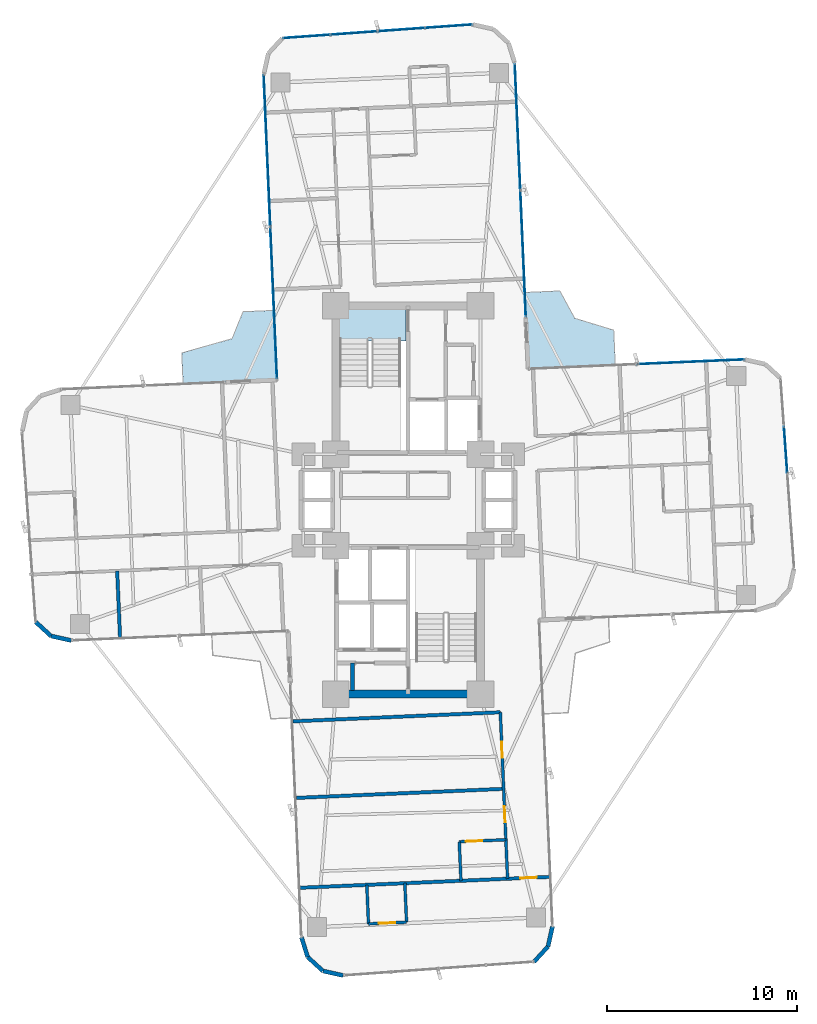
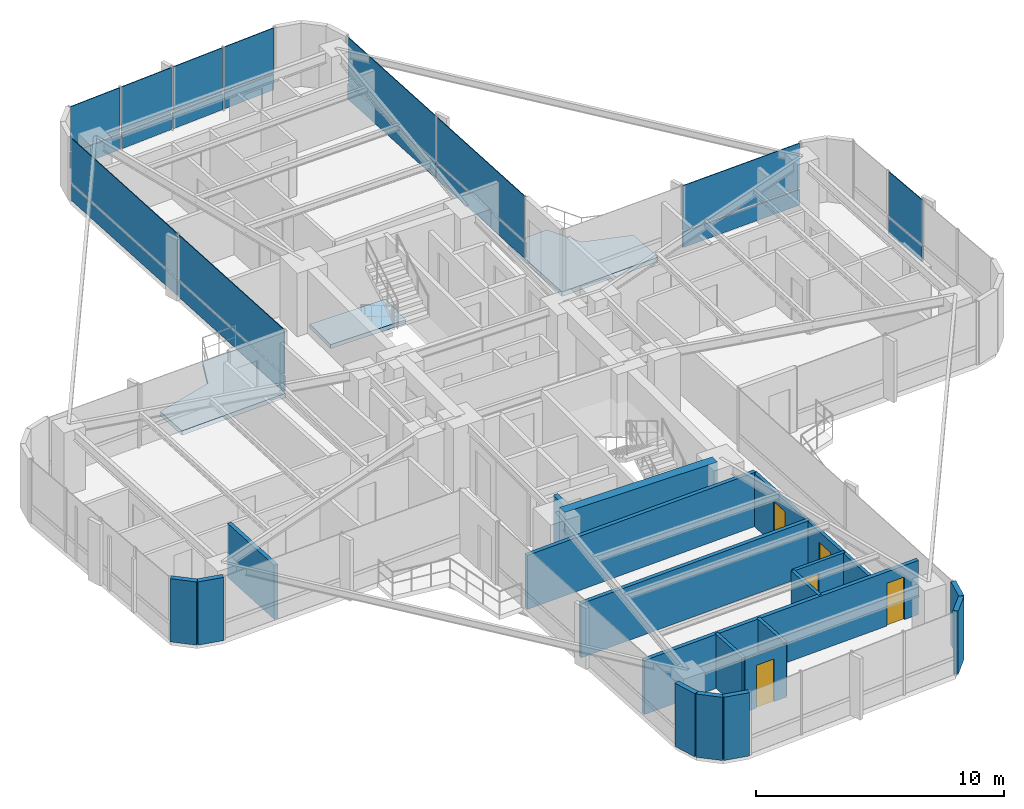
# One storey, part 22 of 26: 20 plates, 19 walls, 5 doors, 3 slabs, 5 openings, 5 elements without a shape of their own.
"""IFC4 building model written with IfcOpenShell, lengths in metres."""

import ifcopenshell
import ifcopenshell.guid

model = None  # the IFC model being written
_history = None  # IfcOwnerHistory: only IFC2X3 demands one
_inside = {}  # id of a spatial element -> (the spatial element, [elements in it])
_under = {}  # id of a project, library or spatial element -> (it, [spatial elements below it])
_declared = {}  # id of a project -> (the project, [libraries it declares])
_typed = {}  # id of a type object -> (the type object, [elements of that type])
_made_of = {}  # id of a material, layer set ... -> (it, [elements and type objects made of it])


def new_model(schema):
    """Start an empty IFC model of exactly this schema.

    Asked for "IFC4X3", IfcOpenShell would pick the latest addendum, in which some entities
    have other attributes; the version numbers below select the first issue.
    IFC2X3 requires an IfcOwnerHistory on every rooted entity: one is made here for all.
    """
    global model, _history
    if schema == "IFC4X3":
        model = ifcopenshell.file(schema_version=(4, 3, 0, 0))
    else:
        model = ifcopenshell.file(schema=schema)
    _inside.clear()
    _under.clear()
    _declared.clear()
    _typed.clear()
    _made_of.clear()
    _history = None
    if model.schema == "IFC2X3":
        org = make("IfcOrganization", Name="unknown")
        user = make(
            "IfcPersonAndOrganization",
            ThePerson=make("IfcPerson", FamilyName="unknown"),
            TheOrganization=org,
        )
        app = make(
            "IfcApplication",
            ApplicationDeveloper=org,
            Version="unknown",
            ApplicationFullName="unknown",
            ApplicationIdentifier="unknown",
        )
        _history = make(
            "IfcOwnerHistory",
            OwningUser=user,
            OwningApplication=app,
            ChangeAction="ADDED",
            CreationDate=0,
        )
    return model


def make(cls, **values):
    """One entity of the class cls with the attributes given. An attribute that is None is left unset."""
    return model.create_entity(
        cls, **{name: value for name, value in values.items() if value is not None}
    )


def rooted(cls, **values):
    """An entity with a GlobalId (a new one), such as an element, a storey or a relation."""
    return make(cls, GlobalId=ifcopenshell.guid.new(), OwnerHistory=_history, **values)


def si_unit(unit_type, name, prefix=None):
    """IfcSIUnit, for example si_unit("LENGTHUNIT", "METRE", prefix="MILLI")."""
    return make("IfcSIUnit", UnitType=unit_type, Prefix=prefix, Name=name)


def assignment(units):
    """IfcUnitAssignment: the units of a project."""
    return None if units is None else make("IfcUnitAssignment", Units=units)


def point(xyz):
    """IfcCartesianPoint."""
    return None if xyz is None else make("IfcCartesianPoint", Coordinates=xyz)


def direction(xyz):
    """IfcDirection."""
    return None if xyz is None else make("IfcDirection", DirectionRatios=xyz)


def frame(location, z_axis=None, x_axis=None):
    """IfcAxis2Placement3D, a coordinate frame: its origin and axes. An axis left out is left unset."""
    return make(
        "IfcAxis2Placement3D",
        Location=point(location),
        Axis=direction(z_axis),
        RefDirection=direction(x_axis),
    )


def frame_2d(location, x_axis=None):
    """IfcAxis2Placement2D, a coordinate frame in the plane: its origin and x axis."""
    return make(
        "IfcAxis2Placement2D", Location=point(location), RefDirection=direction(x_axis)
    )


def origin():
    """The frame at (0, 0, 0) with its axes left unset."""
    return frame((0.0, 0.0, 0.0))


def origin_2d():
    """The frame at (0, 0) in the plane with its x axis left unset."""
    return frame_2d((0.0, 0.0))


def place(relative_to, where):
    """IfcLocalPlacement: puts the frame where relative to a parent placement (None: the world)."""
    return make(
        "IfcLocalPlacement", PlacementRelTo=relative_to, RelativePlacement=where
    )


def context(
    kind, dimensions, precision=None, world=None, true_north=None, identifier=None
):
    """IfcGeometricRepresentationContext, for example the 3D "Model" context."""
    return make(
        "IfcGeometricRepresentationContext",
        ContextIdentifier=identifier,
        ContextType=kind,
        CoordinateSpaceDimension=dimensions,
        Precision=precision,
        WorldCoordinateSystem=world,
        TrueNorth=true_north,
    )


def subcontext(parent, identifier, kind, view, scale=None):
    """IfcGeometricRepresentationSubContext, for example "Body" below "Model"."""
    return make(
        "IfcGeometricRepresentationSubContext",
        ContextIdentifier=identifier,
        ContextType=kind,
        ParentContext=parent,
        TargetScale=scale,
        TargetView=view,
    )


def project(units=None, contexts=None):
    """IfcProject with its units and contexts."""
    return rooted(
        "IfcProject",
        Name="project",
        RepresentationContexts=contexts,
        UnitsInContext=assignment(units),
    )


def spatial(cls, under=None, at=None, **own):
    """A site, building, storey or space (cls), placed at a placement, below another one or the project."""
    s = rooted(cls, ObjectPlacement=at, **own)
    if under is not None:
        _under.setdefault(under.id(), (under, []))[1].append(s)
    return s


def polyline(points):
    """IfcPolyline through the points."""
    return make("IfcPolyline", Points=[point(p) for p in points])


def profile(cls, at=None, kind="AREA", **sizes):
    """A parametric profile (cls). Its sizes go by their IFC names, for example OverallWidth=200.0."""
    return make(cls, ProfileType=kind, Position=at, **sizes)


def rectangle(**sizes):
    """IfcRectangleProfileDef."""
    return profile("IfcRectangleProfileDef", **sizes)


def outline(outer, holes=None, kind="AREA"):
    """IfcArbitraryClosedProfileDef: a profile drawn as a closed curve; with holes, ...WithVoids."""
    if holes is None:
        return make("IfcArbitraryClosedProfileDef", ProfileType=kind, OuterCurve=outer)
    return make(
        "IfcArbitraryProfileDefWithVoids",
        ProfileType=kind,
        OuterCurve=outer,
        InnerCurves=holes,
    )


def extrude(swept, where, along, depth):
    """IfcExtrudedAreaSolid: the profile swept, set in the frame where, extruded along a direction by depth."""
    return make(
        "IfcExtrudedAreaSolid",
        SweptArea=swept,
        Position=where,
        ExtrudedDirection=direction(along),
        Depth=depth,
    )


def shape(context_of_items, identifier, shape_type, items):
    """IfcShapeRepresentation: the items that make up one representation, for example the "Body"."""
    return make(
        "IfcShapeRepresentation",
        ContextOfItems=context_of_items,
        RepresentationIdentifier=identifier,
        RepresentationType=shape_type,
        Items=items,
    )


def source(mapping_origin, context_of_items, identifier, shape_type, items):
    """IfcRepresentationMap: a shape defined once, which mapped items show again and again."""
    return make(
        "IfcRepresentationMap",
        MappingOrigin=mapping_origin,
        MappedRepresentation=shape(context_of_items, identifier, shape_type, items),
    )


def transform(
    local_origin,
    x_axis=None,
    y_axis=None,
    z_axis=None,
    scale=None,
    scale2=None,
    scale3=None,
    uniform=True,
):
    """IfcCartesianTransformationOperator3D, or its non-uniform kind. x_axis, y_axis, z_axis: its Axis1, 2, 3."""
    if uniform:
        return make(
            "IfcCartesianTransformationOperator3D",
            Axis1=direction(x_axis),
            Axis2=direction(y_axis),
            LocalOrigin=point(local_origin),
            Scale=scale,
            Axis3=direction(z_axis),
        )
    return make(
        "IfcCartesianTransformationOperator3DnonUniform",
        Axis1=direction(x_axis),
        Axis2=direction(y_axis),
        LocalOrigin=point(local_origin),
        Scale=scale,
        Axis3=direction(z_axis),
        Scale2=scale2,
        Scale3=scale3,
    )


def mapped(mapping_source, mapping_target):
    """IfcMappedItem: shows the shape of a source again, moved by a transform."""
    return make(
        "IfcMappedItem", MappingSource=mapping_source, MappingTarget=mapping_target
    )


def material(Name=None, Category=None):
    """IfcMaterial."""
    return make("IfcMaterial", Name=Name, Category=Category)


def layer(
    of_material, thickness, ventilated=None, Name=None, Category=None, Priority=None
):
    """IfcMaterialLayer: one layer of a wall or slab, of a material (None: an air gap)."""
    return make(
        "IfcMaterialLayer",
        Material=of_material,
        LayerThickness=thickness,
        IsVentilated=ventilated,
        Name=Name,
        Category=Category,
        Priority=Priority,
    )


def layer_set(layers, Name=None):
    """IfcMaterialLayerSet."""
    return make("IfcMaterialLayerSet", MaterialLayers=layers, LayerSetName=Name)


def made_of(thing, what):
    """Note that an element or type object is made of a material, layer set ...; save() writes the relation."""
    if what is not None:
        _made_of.setdefault(what.id(), (what, []))[1].append(thing)
    return thing


def type_object(cls, material=None, **own):
    """A type object (cls), such as IfcWallType, which elements share."""
    return made_of(rooted(cls, **own), material)


def element(
    cls,
    number,
    at=None,
    inside=None,
    cuts=None,
    type_object=None,
    material=None,
    context=None,
    identifier="Body",
    shape_type=None,
    held_by="IfcProductDefinitionShape",
    body=None,
    shapes=None,
    **own,
):
    """One element of the class cls, such as IfcWall. Its Tag is "e" and its number.

    at: its placement. inside: the storey or other place that contains it. cuts: it is an
    opening in that element (IfcRelVoidsElement). A single representation is given by context,
    identifier, shape_type and body (its items); several are given by shapes. held_by: the class
    of the entity that holds the representations. save() writes the other relations.
    """
    e = rooted(cls, Tag="e%d" % number, ObjectPlacement=at, **own)
    if body is not None:
        shapes = [shape(context, identifier, shape_type, body)]
    if shapes is not None:
        e.Representation = make(held_by, Representations=shapes)
    if inside is not None:
        _inside.setdefault(inside.id(), (inside, []))[1].append(e)
    if cuts is not None:
        rooted(
            "IfcRelVoidsElement", RelatingBuildingElement=cuts, RelatedOpeningElement=e
        )
    if type_object is not None:
        _typed.setdefault(type_object.id(), (type_object, []))[1].append(e)
    return made_of(e, material)


def fill(opening, filler):
    """IfcRelFillsElement: the door or window that sits in an opening."""
    return rooted(
        "IfcRelFillsElement",
        RelatingOpeningElement=opening,
        RelatedBuildingElement=filler,
    )


def aggregate(whole, parts):
    """IfcRelAggregates: a whole, such as a stair, and the parts it consists of."""
    return rooted("IfcRelAggregates", RelatingObject=whole, RelatedObjects=parts)


def save(model, path):
    """Write the relations noted so far, then the file.

    IfcRelAggregates (storeys below a building ...), IfcRelContainedInSpatialStructure (elements
    in a storey), IfcRelDefinesByType, IfcRelAssociatesMaterial and IfcRelDeclares: one each for
    every whole, place, type object, material and project.
    """
    for whole, parts in _under.values():
        aggregate(whole, parts)
    for where, things in _inside.values():
        rooted(
            "IfcRelContainedInSpatialStructure",
            RelatedElements=things,
            RelatingStructure=where,
        )
    for kind, things in _typed.values():
        rooted("IfcRelDefinesByType", RelatedObjects=things, RelatingType=kind)
    for what, things in _made_of.values():
        rooted("IfcRelAssociatesMaterial", RelatedObjects=things, RelatingMaterial=what)
    for by, libraries in _declared.values():
        rooted("IfcRelDeclares", RelatingContext=by, RelatedDefinitions=libraries)
    model.write(path)


model = new_model("IFC4")

# Units and contexts
model_context = context("Model", 3, precision=1e-05, world=origin(), true_north=direction((0.0, 1.0)))
body_context = subcontext(model_context, "Body", "Model", "MODEL_VIEW")
ifc_project = project(units=[si_unit("LENGTHUNIT", "METRE"), si_unit("AREAUNIT", "SQUARE_METRE"), si_unit("VOLUMEUNIT", "CUBIC_METRE"), si_unit("PLANEANGLEUNIT", "RADIAN"), si_unit("MASSUNIT", "GRAM", prefix="KILO")], contexts=[model_context])

# Site, building, storey
site_placement = place(None, origin())
site = spatial("IfcSite", under=ifc_project, at=site_placement, CompositionType="ELEMENT")
building_placement = place(site_placement, origin())
building = spatial("IfcBuilding", under=site, at=building_placement, Name="Sahyath Konkavel Grand Hotel", CompositionType="ELEMENT")
storey_placement = place(building_placement, frame((0.0, 0.0, 114.800048828125)))
storey = spatial("IfcBuildingStorey", under=building, at=storey_placement, Name="L31", CompositionType="ELEMENT", Elevation=114.800048828125)

# Slabs
ifc_material_1 = material(Name="Concrete C40/50", Category="concrete")
ifc_layer_1 = layer(ifc_material_1, 0.219970703125)
ifc_layer_set_1 = layer_set([ifc_layer_1], Name="Concrete C40/50")
slab_type_1 = type_object("IfcSlabType", Name="SLB-BALCONY-220", PredefinedType="FLOOR", material=ifc_layer_set_1)
slab_1_placement = place(storey_placement, frame((0.0, 0.0, -0.219970703125)))
element("IfcSlab", 1, at=slab_1_placement, inside=storey, type_object=slab_type_1, Name="L31 Winter-Garden Balcony NE", PredefinedType="FLOOR", context=body_context, shape_type="SweptSolid", body=[
    extrude(outline(polyline([(6.305908203125, 6.881591796875), (10.87939453125, 7.081298828125), (10.79931640625, 8.919189453125), (8.7470703125, 9.545654296875), (7.96826171875, 10.97998046875), (6.13037109375, 10.89990234375), (6.305908203125, 6.881591796875)])), origin(), (0.0, 0.0, 1.0), 0.219970703125),
])
slab_2_placement = place(storey_placement, frame((0.0, 0.0, -0.219970703125)))
element("IfcSlab", 2, at=slab_2_placement, inside=storey, type_object=slab_type_1, Name="L31 Winter-Garden Balcony NW", PredefinedType="FLOOR", context=body_context, shape_type="SweptSolid", body=[
    extrude(outline(polyline([(-6.881591796875, 6.305908203125), (-7.041259765625, 9.960205078125), (-8.672607421875, 9.88916015625), (-9.246337890625, 8.47265625), (-11.89013671875, 7.7216796875), (-11.81884765625, 6.09033203125), (-6.881591796875, 6.305908203125)])), origin(), (0.0, 0.0, 1.0), 0.219970703125),
])
ifc_layer_2 = layer(ifc_material_1, 0.199951171875)
ifc_layer_set_2 = layer_set([ifc_layer_2], Name="Concrete C40/50")
slab_type_2 = type_object("IfcSlabType", Name="SLB-STAIR-LND", PredefinedType="LANDING", material=ifc_layer_set_2)
slab_3_placement = place(storey_placement, frame((0.0, 0.0, -0.199951171875)))
element("IfcSlab", 3, at=slab_3_placement, inside=storey, type_object=slab_type_2, Name="L31 Stair ST-1 Floor Landing Slab", PredefinedType="LANDING", context=body_context, shape_type="SweptSolid", body=[
    extrude(outline(polyline([(-3.6201171875, 8.35009765625), (-0.10009765625, 8.35009765625), (-0.10009765625, 10.02001953125), (-3.6201171875, 10.02001953125), (-3.6201171875, 8.35009765625)])), origin(), (0.0, 0.0, 1.0), 0.199951171875),
])

# Curtain wall, plate
ifc_material_2 = material(Name="Anodised Bronze Aluminium & Low-E Glazing", Category="aluminium")
curtain_wall_type = type_object("IfcCurtainWallType", Name="CW-ZONE2", PredefinedType="NOTDEFINED", material=ifc_material_2)
curtain_wall_1_placement = place(storey_placement, origin())
curtain_wall_1 = element("IfcCurtainWall", 4, at=curtain_wall_1_placement, inside=storey, type_object=curtain_wall_type, Name="L31 Unitised Curtain Wall F4", PredefinedType="NOTDEFINED")
ifc_material_3 = material(Name="Warm Buff Sandstone Cladding", Category="masonry")
ifc_layer_3 = layer(ifc_material_3, 0.074951171875)
ifc_layer_set_3 = layer_set([ifc_layer_3], Name="Warm Buff Sandstone Cladding")
plate_type_1 = type_object("IfcPlateType", Name="PNL-SPANDREL-STONE", PredefinedType="SHEET", material=ifc_layer_set_3)
shared_shape_1 = source(origin(), body_context, "Body", "SweptSolid", [
    extrude(rectangle(XDim=2.41357421875, YDim=0.074951171875, at=origin_2d()), origin(), (0.0, 0.0, 1.0), 0.77001953125),
])
plate_1_placement = place(storey_placement, frame((19.828369140625, 2.638671875, 0.0400390625), z_axis=(0.0, 0.0, 1.0), x_axis=(-0.071567078661, 0.997435789037, 0.0)))
plate_1 = element("IfcPlate", 5, at=plate_1_placement, type_object=plate_type_1, Name="L31 Sandstone Relief Spandrel Panel F4-2", PredefinedType="SHEET", context=body_context, shape_type="MappedRepresentation", body=[
    mapped(shared_shape_1, transform((0.0, 0.0, 0.0), scale=1.0)),
])

# Curtain wall, plates
curtain_wall_2_placement = place(storey_placement, origin())
curtain_wall_2 = element("IfcCurtainWall", 6, at=curtain_wall_2_placement, inside=storey, type_object=curtain_wall_type, Name="L31 Unitised Curtain Wall F12", PredefinedType="NOTDEFINED")
plate_2_placement = place(storey_placement, frame((2.130615234375, 24.880615234375, 0.0400390625), z_axis=(0.0, 0.0, 1.0), x_axis=(-0.997435789037, -0.071567078661, 0.0)))
plate_2 = element("IfcPlate", 7, at=plate_2_placement, type_object=plate_type_1, Name="L31 Sandstone Relief Spandrel Panel F12-0", PredefinedType="SHEET", context=body_context, shape_type="MappedRepresentation", body=[
    mapped(shared_shape_1, transform((0.0, 0.0, 0.0), scale=1.0)),
])
plate_3_placement = place(storey_placement, frame((-0.356689453125, 24.7021484375, 0.0400390625), z_axis=(0.0, 0.0, 1.0), x_axis=(-0.997435789037, -0.071567078661, 0.0)))
plate_3 = element("IfcPlate", 8, at=plate_3_placement, type_object=plate_type_1, Name="L31 Sandstone Relief Spandrel Panel F12-1", PredefinedType="SHEET", context=body_context, shape_type="MappedRepresentation", body=[
    mapped(shared_shape_1, transform((0.0, 0.0, 0.0), scale=1.0)),
])
plate_4_placement = place(storey_placement, frame((-2.84375, 24.523681640625, 0.0400390625), z_axis=(0.0, 0.0, 1.0), x_axis=(-0.997435789037, -0.071567078661, 0.0)))
plate_4 = element("IfcPlate", 9, at=plate_4_placement, type_object=plate_type_1, Name="L31 Sandstone Relief Spandrel Panel F12-2", PredefinedType="SHEET", context=body_context, shape_type="MappedRepresentation", body=[
    mapped(shared_shape_1, transform((0.0, 0.0, 0.0), scale=1.0)),
])
plate_5_placement = place(storey_placement, frame((-5.330810546875, 24.34521484375, 0.0400390625), z_axis=(0.0, 0.0, 1.0), x_axis=(-0.997435789037, -0.071567078661, 0.0)))
plate_5 = element("IfcPlate", 10, at=plate_5_placement, type_object=plate_type_1, Name="L31 Sandstone Relief Spandrel Panel F12-3", PredefinedType="SHEET", context=body_context, shape_type="MappedRepresentation", body=[
    mapped(shared_shape_1, transform((0.0, 0.0, 0.0), scale=1.0)),
])

# Curtain wall, plate
curtain_wall_3_placement = place(storey_placement, origin())
curtain_wall_3 = element("IfcCurtainWall", 11, at=curtain_wall_3_placement, inside=storey, type_object=curtain_wall_type, Name="L31 Unitised Curtain Wall F7", PredefinedType="NOTDEFINED")
shared_shape_2 = source(origin(), body_context, "Body", "SweptSolid", [
    extrude(rectangle(XDim=5.580078125, YDim=0.074951171875, at=origin_2d()), origin(), (0.0, 0.0, 1.0), 0.77001953125),
])
plate_6_placement = place(storey_placement, frame((14.82763671875, 7.25390625, 0.0400390625), z_axis=(0.0, 0.0, 1.0), x_axis=(-0.999048221582, -0.043619387365, 0.0)))
plate_6 = element("IfcPlate", 12, at=plate_6_placement, type_object=plate_type_1, Name="L31 Sandstone Relief Spandrel Panel F7-0", PredefinedType="SHEET", context=body_context, shape_type="MappedRepresentation", body=[
    mapped(shared_shape_2, transform((0.0, 0.0, 0.0), scale=1.0)),
])

# Curtain wall, plates
curtain_wall_4_placement = place(storey_placement, origin())
curtain_wall_4 = element("IfcCurtainWall", 13, at=curtain_wall_4_placement, inside=storey, type_object=curtain_wall_type, Name="L31 Unitised Curtain Wall F8", PredefinedType="NOTDEFINED")
shared_shape_3 = source(origin(), body_context, "Body", "SweptSolid", [
    extrude(rectangle(XDim=6.580078125, YDim=0.074951171875, at=origin_2d()), origin(), (0.0, 0.0, 1.0), 0.77001953125),
])
plate_7_placement = place(storey_placement, frame((6.041015625, 12.94580078125, 0.0400390625), z_axis=(0.0, 0.0, 1.0), x_axis=(-0.043619387365, 0.999048221582, 0.0)))
plate_7 = element("IfcPlate", 14, at=plate_7_placement, type_object=plate_type_1, Name="L31 Sandstone Relief Spandrel Panel F8-0", PredefinedType="SHEET", context=body_context, shape_type="MappedRepresentation", body=[
    mapped(shared_shape_3, transform((0.0, 0.0, 0.0), scale=1.0)),
])
plate_8_placement = place(storey_placement, frame((5.75048828125, 19.599609375, 0.0400390625), z_axis=(0.0, 0.0, 1.0), x_axis=(-0.043619387365, 0.999048221582, 0.0)))
plate_8 = element("IfcPlate", 15, at=plate_8_placement, type_object=plate_type_1, Name="L31 Sandstone Relief Spandrel Panel F8-1", PredefinedType="SHEET", context=body_context, shape_type="MappedRepresentation", body=[
    mapped(shared_shape_3, transform((0.0, 0.0, 0.0), scale=1.0)),
])

curtain_wall_5_placement = place(storey_placement, origin())
curtain_wall_5 = element("IfcCurtainWall", 16, at=curtain_wall_5_placement, inside=storey, type_object=curtain_wall_type, Name="L31 Unitised Curtain Wall F15", PredefinedType="NOTDEFINED")
shared_shape_4 = source(origin(), body_context, "Body", "SweptSolid", [
    extrude(rectangle(XDim=7.929931640625, YDim=0.074951171875, at=origin_2d()), origin(), (0.0, 0.0, 1.0), 0.77001953125),
])
plate_9_placement = place(storey_placement, frame((-7.407470703125, 18.349365234375, 0.0400390625), z_axis=(0.0, 0.0, 1.0), x_axis=(0.043619387365, -0.999048221582, 0.0)))
plate_9 = element("IfcPlate", 17, at=plate_9_placement, type_object=plate_type_1, Name="L31 Sandstone Relief Spandrel Panel F15-0", PredefinedType="SHEET", context=body_context, shape_type="MappedRepresentation", body=[
    mapped(shared_shape_4, transform((0.0, 0.0, 0.0), scale=1.0)),
])
plate_10_placement = place(storey_placement, frame((-7.05810546875, 10.346923828125, 0.0400390625), z_axis=(0.0, 0.0, 1.0), x_axis=(0.043619387365, -0.999048221582, 0.0)))
plate_10 = element("IfcPlate", 18, at=plate_10_placement, type_object=plate_type_1, Name="L31 Sandstone Relief Spandrel Panel F15-1", PredefinedType="SHEET", context=body_context, shape_type="MappedRepresentation", body=[
    mapped(shared_shape_4, transform((0.0, 0.0, 0.0), scale=1.0)),
])

# Plate
ifc_material_4 = material(Name="Low-E Solar Control Double Glazing", Category="glass")
ifc_layer_4 = layer(ifc_material_4, 0.035888671875)
ifc_layer_set_4 = layer_set([ifc_layer_4], Name="Low-E Solar Control Double Glazing")
plate_type_2 = type_object("IfcPlateType", Name="PNL-VISION-LOWE", PredefinedType="CURTAIN_PANEL", material=ifc_layer_set_4)
shared_shape_5 = source(origin(), body_context, "Body", "SweptSolid", [
    extrude(rectangle(XDim=2.41357421875, YDim=0.035888671875, at=origin_2d()), origin(), (0.0, 0.0, 1.0), 2.179931640625),
])
plate_11_placement = place(storey_placement, frame((19.828369140625, 2.638671875, 0.89013671875), z_axis=(0.0, 0.0, 1.0), x_axis=(-0.071567078661, 0.997435789037, 0.0)))
plate_11 = element("IfcPlate", 19, at=plate_11_placement, type_object=plate_type_2, Name="L31 Low-E Vision Glazing Panel F4-2", PredefinedType="CURTAIN_PANEL", context=body_context, shape_type="MappedRepresentation", body=[
    mapped(shared_shape_5, transform((0.0, 0.0, 0.0), scale=1.0)),
])

aggregate(curtain_wall_1, [plate_1, plate_11])

plate_12_placement = place(storey_placement, frame((2.130615234375, 24.880615234375, 0.89013671875), z_axis=(0.0, 0.0, 1.0), x_axis=(-0.997435789037, -0.071567078661, 0.0)))
plate_12 = element("IfcPlate", 20, at=plate_12_placement, type_object=plate_type_2, Name="L31 Low-E Vision Glazing Panel F12-0", PredefinedType="CURTAIN_PANEL", context=body_context, shape_type="MappedRepresentation", body=[
    mapped(shared_shape_5, transform((0.0, 0.0, 0.0), scale=1.0)),
])

plate_13_placement = place(storey_placement, frame((-0.356689453125, 24.7021484375, 0.89013671875), z_axis=(0.0, 0.0, 1.0), x_axis=(-0.997435789037, -0.071567078661, 0.0)))
plate_13 = element("IfcPlate", 21, at=plate_13_placement, type_object=plate_type_2, Name="L31 Low-E Vision Glazing Panel F12-1", PredefinedType="CURTAIN_PANEL", context=body_context, shape_type="MappedRepresentation", body=[
    mapped(shared_shape_5, transform((0.0, 0.0, 0.0), scale=1.0)),
])

plate_14_placement = place(storey_placement, frame((-2.84375, 24.523681640625, 0.89013671875), z_axis=(0.0, 0.0, 1.0), x_axis=(-0.997435789037, -0.071567078661, 0.0)))
plate_14 = element("IfcPlate", 22, at=plate_14_placement, type_object=plate_type_2, Name="L31 Low-E Vision Glazing Panel F12-2", PredefinedType="CURTAIN_PANEL", context=body_context, shape_type="MappedRepresentation", body=[
    mapped(shared_shape_5, transform((0.0, 0.0, 0.0), scale=1.0)),
])

plate_15_placement = place(storey_placement, frame((-5.330810546875, 24.34521484375, 0.89013671875), z_axis=(0.0, 0.0, 1.0), x_axis=(-0.997435789037, -0.071567078661, 0.0)))
plate_15 = element("IfcPlate", 23, at=plate_15_placement, type_object=plate_type_2, Name="L31 Low-E Vision Glazing Panel F12-3", PredefinedType="CURTAIN_PANEL", context=body_context, shape_type="MappedRepresentation", body=[
    mapped(shared_shape_5, transform((0.0, 0.0, 0.0), scale=1.0)),
])

aggregate(curtain_wall_2, [plate_2, plate_12, plate_3, plate_13, plate_4, plate_14, plate_5, plate_15])

shared_shape_6 = source(origin(), body_context, "Body", "SweptSolid", [
    extrude(rectangle(XDim=5.580078125, YDim=0.035888671875, at=origin_2d()), origin(), (0.0, 0.0, 1.0), 2.179931640625),
])
plate_16_placement = place(storey_placement, frame((14.82763671875, 7.25390625, 0.89013671875), z_axis=(0.0, 0.0, 1.0), x_axis=(-0.999048221582, -0.043619387365, 0.0)))
plate_16 = element("IfcPlate", 24, at=plate_16_placement, type_object=plate_type_2, Name="L31 Low-E Vision Glazing Panel F7-0", PredefinedType="CURTAIN_PANEL", context=body_context, shape_type="MappedRepresentation", body=[
    mapped(shared_shape_6, transform((0.0, 0.0, 0.0), scale=1.0)),
])

aggregate(curtain_wall_3, [plate_6, plate_16])

shared_shape_7 = source(origin(), body_context, "Body", "SweptSolid", [
    extrude(rectangle(XDim=6.580078125, YDim=0.035888671875, at=origin_2d()), origin(), (0.0, 0.0, 1.0), 2.179931640625),
])
plate_17_placement = place(storey_placement, frame((6.041015625, 12.94580078125, 0.89013671875), z_axis=(0.0, 0.0, 1.0), x_axis=(-0.043619387365, 0.999048221582, 0.0)))
plate_17 = element("IfcPlate", 25, at=plate_17_placement, type_object=plate_type_2, Name="L31 Low-E Vision Glazing Panel F8-0", PredefinedType="CURTAIN_PANEL", context=body_context, shape_type="MappedRepresentation", body=[
    mapped(shared_shape_7, transform((0.0, 0.0, 0.0), scale=1.0)),
])

plate_18_placement = place(storey_placement, frame((5.75048828125, 19.599609375, 0.89013671875), z_axis=(0.0, 0.0, 1.0), x_axis=(-0.043619387365, 0.999048221582, 0.0)))
plate_18 = element("IfcPlate", 26, at=plate_18_placement, type_object=plate_type_2, Name="L31 Low-E Vision Glazing Panel F8-1", PredefinedType="CURTAIN_PANEL", context=body_context, shape_type="MappedRepresentation", body=[
    mapped(shared_shape_7, transform((0.0, 0.0, 0.0), scale=1.0)),
])

aggregate(curtain_wall_4, [plate_7, plate_17, plate_8, plate_18])

shared_shape_8 = source(origin(), body_context, "Body", "SweptSolid", [
    extrude(rectangle(XDim=7.929931640625, YDim=0.035888671875, at=origin_2d()), origin(), (0.0, 0.0, 1.0), 2.179931640625),
])
plate_19_placement = place(storey_placement, frame((-7.407470703125, 18.349365234375, 0.89013671875), z_axis=(0.0, 0.0, 1.0), x_axis=(0.043619387365, -0.999048221582, 0.0)))
plate_19 = element("IfcPlate", 27, at=plate_19_placement, type_object=plate_type_2, Name="L31 Low-E Vision Glazing Panel F15-0", PredefinedType="CURTAIN_PANEL", context=body_context, shape_type="MappedRepresentation", body=[
    mapped(shared_shape_8, transform((0.0, 0.0, 0.0), scale=1.0)),
])

plate_20_placement = place(storey_placement, frame((-7.05810546875, 10.346923828125, 0.89013671875), z_axis=(0.0, 0.0, 1.0), x_axis=(0.043619387365, -0.999048221582, 0.0)))
plate_20 = element("IfcPlate", 28, at=plate_20_placement, type_object=plate_type_2, Name="L31 Low-E Vision Glazing Panel F15-1", PredefinedType="CURTAIN_PANEL", context=body_context, shape_type="MappedRepresentation", body=[
    mapped(shared_shape_8, transform((0.0, 0.0, 0.0), scale=1.0)),
])

aggregate(curtain_wall_5, [plate_9, plate_19, plate_10, plate_20])

# Walls
ifc_material_5 = material(Name="Concrete C50/60", Category="concrete")
ifc_layer_5 = layer(ifc_material_5, 0.419921875)
ifc_layer_set_5 = layer_set([ifc_layer_5], Name="Concrete C50/60")
wall_type_1 = type_object("IfcWallType", Name="CWALL-420", PredefinedType="SHEAR", material=ifc_layer_set_5)
wall_1_placement = place(storey_placement, frame((-3.550048828125, -10.199951171875, 0.0), z_axis=(0.0, 0.0, 1.0), x_axis=(1.0, 0.0, 0.0)))
element("IfcWall", 29, at=wall_1_placement, inside=storey, type_object=wall_type_1, Name="L31 South Core Shear Wall S", PredefinedType="SHEAR", context=body_context, shape_type="SweptSolid", body=[
    extrude(rectangle(XDim=7.10009765625, YDim=0.419921875, at=frame_2d((3.550048828125, 0.0))), origin(), (0.0, 0.0, 1.0), 3.10986328125),
])
ifc_material_6 = material(Name="Warm Buff Sandstone Insulated Concrete C40/50", Category="masonry")
ifc_layer_6 = layer(ifc_material_6, 0.219970703125)
ifc_layer_set_6 = layer_set([ifc_layer_6], Name="Warm Buff Sandstone Insulated Concrete C40/50")
wall_type_2 = type_object("IfcWallType", Name="WLL-BALC-THRESH", PredefinedType="STANDARD", material=ifc_layer_set_6)
wall_2_placement = place(storey_placement, frame((-19.5576171875, -6.4091796875, 0.0), z_axis=(0.0, 0.0, 1.0), x_axis=(0.737210081318, -0.675663596772, 0.0)))
element("IfcWall", 30, at=wall_2_placement, inside=storey, type_object=wall_type_2, Name="L31 Rounded Corner Sandstone Pier 21", PredefinedType="STANDARD", context=body_context, shape_type="SweptSolid", body=[
    extrude(rectangle(XDim=1.0869140625, YDim=0.219970703125, at=frame_2d((0.54345703125, 0.0))), origin(), (0.0, 0.0, 1.0), 3.10986328125),
])
wall_3_placement = place(storey_placement, frame((-18.75634765625, -7.1435546875, 0.0), z_axis=(0.0, 0.0, 1.0), x_axis=(0.976282085775, -0.216502399514, 0.0)))
element("IfcWall", 31, at=wall_3_placement, inside=storey, type_object=wall_type_2, Name="L31 Rounded Corner Sandstone Pier 22", PredefinedType="STANDARD", context=body_context, shape_type="SweptSolid", body=[
    extrude(rectangle(XDim=1.087158203125, YDim=0.219970703125, at=frame_2d((0.54345703125, 0.0))), origin(), (0.0, 0.0, 1.0), 3.10986328125),
])
wall_4_placement = place(storey_placement, frame((-5.603515625, -22.96630859375, 0.0), z_axis=(0.0, 0.0, 1.0), x_axis=(0.300755105707, -0.953701403161, 0.0)))
element("IfcWall", 32, at=wall_4_placement, inside=storey, type_object=wall_type_2, Name="L31 Rounded Corner Sandstone Pier 25", PredefinedType="STANDARD", context=body_context, shape_type="SweptSolid", body=[
    extrude(rectangle(XDim=1.0869140625, YDim=0.219970703125, at=frame_2d((0.54345703125, 0.0))), origin(), (0.0, 0.0, 1.0), 3.10986328125),
])
wall_5_placement = place(storey_placement, frame((-5.276611328125, -24.0029296875, 0.0), z_axis=(0.0, 0.0, 1.0), x_axis=(0.737312600672, -0.675551721847, 0.0)))
element("IfcWall", 33, at=wall_5_placement, inside=storey, type_object=wall_type_2, Name="L31 Rounded Corner Sandstone Pier 26", PredefinedType="STANDARD", context=body_context, shape_type="SweptSolid", body=[
    extrude(rectangle(XDim=1.087158203125, YDim=0.219970703125, at=frame_2d((0.54345703125, 0.0))), origin(), (0.0, 0.0, 1.0), 3.10986328125),
])
for number, where, z_axis, x_axis, name in (
    (34, (-4.47509765625, -24.7373046875, 0.0), (0.0, 0.0, 1.0), (0.976271555154, -0.216549880158, 0.0), "L31 Rounded Corner Sandstone Pier 27"),
    (35, (6.6142578125, -24.253173828125, 0.0), (0.0, 0.0, 1.0), (0.675663596772, 0.737210081318, 0.0), "L31 Rounded Corner Sandstone Pier 29"),
):
    element("IfcWall", number, at=place(storey_placement, frame(where, z_axis=z_axis, x_axis=x_axis)), inside=storey, type_object=wall_type_2, Name=name, PredefinedType="STANDARD", context=body_context, shape_type="SweptSolid", body=[
        extrude(rectangle(XDim=1.0869140625, YDim=0.219970703125, at=frame_2d((0.54345703125, 0.0))), origin(), (0.0, 0.0, 1.0), 3.10986328125),
    ])
wall_6_placement = place(storey_placement, frame((7.3486328125, -23.451904296875, 0.0), z_axis=(0.0, 0.0, 1.0), x_axis=(0.216454939174, 0.976292609471, 0.0)))
element("IfcWall", 36, at=wall_6_placement, inside=storey, type_object=wall_type_2, Name="L31 Rounded Corner Sandstone Pier 30", PredefinedType="STANDARD", context=body_context, shape_type="SweptSolid", body=[
    extrude(rectangle(XDim=1.08740234375, YDim=0.219970703125, at=frame_2d((0.543701171875, 0.0))), origin(), (0.0, 0.0, 1.0), 3.10986328125),
])
ifc_layer_7 = layer(ifc_material_1, 0.199951171875)
ifc_layer_set_7 = layer_set([ifc_layer_7], Name="Concrete C40/50")
wall_type_3 = type_object("IfcWallType", Name="WLL-CORE-200", PredefinedType="SOLIDWALL", material=ifc_layer_set_7)
wall_7_placement = place(storey_placement, frame((-2.919921875, -10.0, 0.0), z_axis=(0.0, 0.0, 1.0), x_axis=(0.0, 1.0, 0.0)))
element("IfcWall", 37, at=wall_7_placement, inside=storey, type_object=wall_type_3, Name="L31 Partition SFF-W2", PredefinedType="SOLIDWALL", context=body_context, shape_type="SweptSolid", body=[
    extrude(rectangle(XDim=1.43994140625, YDim=0.199951171875, at=frame_2d((0.719970703125, 0.0))), origin(), (0.0, 0.0, 1.0), 2.659912109375),
])
ifc_material_7 = material(Name="Twin-Stud Acoustic Gypsum Plasterboard Partition")
ifc_layer_8 = layer(ifc_material_7, 0.179931640625)
ifc_layer_set_8 = layer_set([ifc_layer_8], Name="Twin-Stud Acoustic Gypsum Plasterboard Partition")
wall_type_4 = type_object("IfcWallType", Name="WLL-DEMISE-180", PredefinedType="PARTITIONING", material=ifc_layer_set_8)
wall_8_placement = place(storey_placement, frame((-15.2822265625, -3.72021484375, 0.0), z_axis=(0.0, 0.0, 1.0), x_axis=(0.043597663116, -0.999049169846, 0.0)))
element("IfcWall", 38, at=wall_8_placement, inside=storey, type_object=wall_type_4, Name="L31 Partition W-W2L-DEM", PredefinedType="PARTITIONING", context=body_context, shape_type="SweptSolid", body=[
    extrude(rectangle(XDim=3.5, YDim=0.179931640625, at=frame_2d((1.75, 0.0))), origin(), (0.0, 0.0, 1.0), 2.659912109375),
])
for number, where, z_axis, x_axis, name in (
    (39, (-6.048583984375, -11.625, 0.0), (0.0, 0.0, 1.0), (0.999047644663, 0.043632598969, 0.0), "L31 Partition S-G5I"),
    (40, (5.0166015625, -15.170654296875, 0.0), (0.0, 0.0, 1.0), (-0.999048663393, -0.043609267053, 0.0), "L31 Partition S-SD1-DEM"),
):
    element("IfcWall", number, at=place(storey_placement, frame(where, z_axis=z_axis, x_axis=x_axis)), inside=storey, type_object=wall_type_4, Name=name, PredefinedType="PARTITIONING", context=body_context, shape_type="SweptSolid", body=[
        extrude(rectangle(XDim=10.89990234375, YDim=0.179931640625, at=frame_2d((5.449951171875, 0.0))), origin(), (0.0, 0.0, 1.0), 2.659912109375),
    ])

# Wall, opening, door
wall_9_placement = place(storey_placement, frame((-5.6669921875, -20.36669921875, 0.0), z_axis=(0.0, 0.0, 1.0), x_axis=(0.999047806124, 0.043628901879, 0.0)))
wall_9 = element("IfcWall", 41, at=wall_9_placement, inside=storey, type_object=wall_type_4, Name="L31 Partition S-STIP-END", PredefinedType="PARTITIONING", context=body_context, shape_type="SweptSolid", body=[
    extrude(rectangle(XDim=13.099853515625, YDim=0.179931640625, at=frame_2d((6.5498046875, 0.0))), origin(), (0.0, 0.0, 1.0), 2.659912109375),
])
opening_1_placement = place(wall_9_placement, frame((11.574951171875, 0.0, 0.0)))
opening_1 = element("IfcOpeningElement", 42, at=opening_1_placement, cuts=wall_9, Name="Opening D-F06D", PredefinedType="OPENING", context=body_context, shape_type="SweptSolid", body=[
    extrude(rectangle(XDim=0.85009765625, YDim=2.10009765625, at=frame_2d((0.425048828125, 1.050048828125))), frame((0.0, 0.10009765625, 0.0), z_axis=(0.0, -1.0, 0.0), x_axis=(1.0, 0.0, 0.0)), (0.0, 0.0, 1.0), 0.199951171875),
])
ifc_material_8 = material(Name="Fire-Rated Shaft Access Door")
door_type_1 = type_object("IfcDoorType", Name="DR-FD60-850", OperationType="NOTDEFINED", PredefinedType="DOOR", material=ifc_material_8)
shared_shape_9 = source(origin(), body_context, "Body", "SweptSolid", [
    extrude(rectangle(XDim=0.85009765625, YDim=0.050048828125, at=origin_2d()), origin(), (0.0, 0.0, 1.0), 2.10009765625),
])
door_1_placement = place(opening_1_placement, frame((0.425048828125, 0.0, 0.0)))
door_1 = element("IfcDoor", 43, at=door_1_placement, inside=storey, type_object=door_type_1, Name="L31 Door S-STIP-ED", OperationType="SINGLE_SWING_LEFT", OverallHeight=2.10009765625, OverallWidth=0.85009765625, PredefinedType="DOOR", context=body_context, shape_type="MappedRepresentation", body=[
    mapped(shared_shape_9, transform((0.0, 0.0, 0.0), scale=1.0)),
])
fill(opening_1, door_1)

# Wall, openings, doors
ifc_material_9 = material(Name="Fire-Rated Gypsum Plasterboard Partition")
ifc_layer_9 = layer(ifc_material_9, 0.14990234375)
ifc_layer_set_9 = layer_set([ifc_layer_9], Name="Fire-Rated Gypsum Plasterboard Partition")
wall_type_5 = type_object("IfcWallType", Name="WLL-PART-150", PredefinedType="PARTITIONING", material=ifc_layer_set_9)
wall_10_placement = place(storey_placement, frame((4.8408203125, -11.1494140625, 0.0), z_axis=(0.0, 0.0, 1.0), x_axis=(0.043638220751, -0.999047399121, 0.0)))
wall_10 = element("IfcWall", 44, at=wall_10_placement, inside=storey, type_object=wall_type_5, Name="L31 Partition S-G5W", PredefinedType="PARTITIONING", context=body_context, shape_type="SweptSolid", body=[
    extrude(rectangle(XDim=8.75, YDim=0.14990234375, at=frame_2d((4.375, 0.0))), origin(), (0.0, 0.0, 1.0), 2.6298828125),
])
opening_2_placement = place(wall_10_placement, frame((1.5380859375, 0.0, 0.0)))
opening_2 = element("IfcOpeningElement", 45, at=opening_2_placement, cuts=wall_10, Name="Opening D-F06D", PredefinedType="OPENING", context=body_context, shape_type="SweptSolid", body=[
    extrude(rectangle(XDim=0.85009765625, YDim=2.10009765625, at=frame_2d((0.425048828125, 1.050048828125))), frame((0.0, 0.0849609375, 0.0), z_axis=(0.0, -1.0, 0.0), x_axis=(1.0, 0.0, 0.0)), (0.0, 0.0, 1.0), 0.169921875),
])
opening_3_placement = place(wall_10_placement, frame((4.93701171875, 0.0, 0.0)))
opening_3 = element("IfcOpeningElement", 46, at=opening_3_placement, cuts=wall_10, Name="Opening D-F06D", PredefinedType="OPENING", context=body_context, shape_type="SweptSolid", body=[
    extrude(rectangle(XDim=0.85009765625, YDim=2.10009765625, at=frame_2d((0.425048828125, 1.050048828125))), frame((0.0, 0.0849609375, 0.0), z_axis=(0.0, -1.0, 0.0), x_axis=(1.0, 0.0, 0.0)), (0.0, 0.0, 1.0), 0.169921875),
])
door_2_placement = place(opening_2_placement, frame((0.425048828125, 0.0, 0.0)))
door_2 = element("IfcDoor", 47, at=door_2_placement, inside=storey, type_object=door_type_1, Name="L31 Door S-SD1-D", OperationType="SINGLE_SWING_LEFT", OverallHeight=2.10009765625, OverallWidth=0.85009765625, PredefinedType="DOOR", context=body_context, shape_type="MappedRepresentation", body=[
    mapped(shared_shape_9, transform((0.0, 0.0, 0.0), scale=1.0)),
])
fill(opening_2, door_2)
door_3_placement = place(opening_3_placement, frame((0.425048828125, 0.0, 0.0)))
door_3 = element("IfcDoor", 48, at=door_3_placement, inside=storey, type_object=door_type_1, Name="L31 Door S-SD2-ED", OperationType="SINGLE_SWING_LEFT", OverallHeight=2.10009765625, OverallWidth=0.85009765625, PredefinedType="DOOR", context=body_context, shape_type="MappedRepresentation", body=[
    mapped(shared_shape_9, transform((0.0, 0.0, 0.0), scale=1.0)),
])
fill(opening_3, door_3)

# Wall, opening, door
wall_11_placement = place(storey_placement, frame((5.13330078125, -17.843017578125, 0.0), z_axis=(0.0, 0.0, 1.0), x_axis=(-0.999047112283, -0.043644787072, 0.0)))
wall_11 = element("IfcWall", 49, at=wall_11_placement, inside=storey, type_object=wall_type_5, Name="L31 Partition S-SD2-BS", PredefinedType="PARTITIONING", context=body_context, shape_type="SweptSolid", body=[
    extrude(rectangle(XDim=2.4501953125, YDim=0.14990234375, at=frame_2d((1.22509765625, 0.0))), origin(), (0.0, 0.0, 1.0), 2.659912109375),
])
opening_4_placement = place(wall_11_placement, frame((1.25, 0.0, 0.0)))
opening_4 = element("IfcOpeningElement", 50, at=opening_4_placement, cuts=wall_11, Name="Opening D-BT85", PredefinedType="OPENING", context=body_context, shape_type="SweptSolid", body=[
    extrude(rectangle(XDim=0.85009765625, YDim=2.10009765625, at=frame_2d((0.425048828125, 1.050048828125))), frame((0.0, 0.0849609375, 0.0), z_axis=(0.0, -1.0, 0.0), x_axis=(1.0, 0.0, 0.0)), (0.0, 0.0, 1.0), 0.169921875),
])
ifc_material_10 = material(Name="Moisture-Resistant Teak Bathroom Door")
door_type_2 = type_object("IfcDoorType", Name="DR-BATH-850", OperationType="NOTDEFINED", PredefinedType="DOOR", material=ifc_material_10)
door_4_placement = place(opening_4_placement, frame((0.425048828125, 0.0, 0.0)))
door_4 = element("IfcDoor", 51, at=door_4_placement, inside=storey, type_object=door_type_2, Name="L31 Door S-SD2-BD", OperationType="SINGLE_SWING_RIGHT", OverallHeight=2.10009765625, OverallWidth=0.85009765625, PredefinedType="DOOR", context=body_context, shape_type="MappedRepresentation", body=[
    mapped(shared_shape_9, transform((0.0, 0.0, 0.0), scale=1.0)),
])
fill(opening_4, door_4)

# Walls
for number, where, z_axis, x_axis, name in (
    (52, (2.685546875, -17.949951171875, 0.0), (0.0, 0.0, 1.0), (0.043587097972, -0.999049630844, 0.0), "L31 Partition S-SD2-BF"),
    (53, (-0.17236328125, -20.126708984375, 0.0), (0.0, 0.0, 1.0), (0.043705961225, -0.999044437927, 0.0), "L31 Partition S-STIP-BN"),
    (54, (-2.17041015625, -20.2138671875, 0.0), (0.0, 0.0, 1.0), (0.043705961225, -0.999044437927, 0.0), "L31 Partition S-STIP-BS"),
):
    element("IfcWall", number, at=place(storey_placement, frame(where, z_axis=z_axis, x_axis=x_axis)), inside=storey, type_object=wall_type_5, Name=name, PredefinedType="PARTITIONING", context=body_context, shape_type="SweptSolid", body=[
        extrude(rectangle(XDim=2.050048828125, YDim=0.14990234375, at=frame_2d((1.02490234375, 0.0))), origin(), (0.0, 0.0, 1.0), 2.659912109375),
    ])

# Wall, opening, door
wall_12_placement = place(storey_placement, frame((-2.080810546875, -22.261962890625, 0.0), z_axis=(0.0, 0.0, 1.0), x_axis=(0.999049929275, 0.043580257179, 0.0)))
wall_12 = element("IfcWall", 55, at=wall_12_placement, inside=storey, type_object=wall_type_5, Name="L31 Partition S-STIP-BE", PredefinedType="PARTITIONING", context=body_context, shape_type="SweptSolid", body=[
    extrude(rectangle(XDim=2.0, YDim=0.14990234375, at=frame_2d((1.0, 0.0))), origin(), (0.0, 0.0, 1.0), 2.579833984375),
])
opening_5_placement = place(wall_12_placement, frame((0.550048828125, 0.0, 0.0)))
opening_5 = element("IfcOpeningElement", 56, at=opening_5_placement, cuts=wall_12, Name="Opening D-BT85", PredefinedType="OPENING", context=body_context, shape_type="SweptSolid", body=[
    extrude(rectangle(XDim=0.85009765625, YDim=2.10009765625, at=frame_2d((0.425048828125, 1.050048828125))), frame((0.0, 0.0849609375, 0.0), z_axis=(0.0, -1.0, 0.0), x_axis=(1.0, 0.0, 0.0)), (0.0, 0.0, 1.0), 0.169921875),
])
door_5_placement = place(opening_5_placement, frame((0.425048828125, 0.0, 0.0)))
door_5 = element("IfcDoor", 57, at=door_5_placement, inside=storey, type_object=door_type_2, Name="L31 Door S-STIP-BD", OperationType="SINGLE_SWING_RIGHT", OverallHeight=2.10009765625, OverallWidth=0.85009765625, PredefinedType="DOOR", context=body_context, shape_type="MappedRepresentation", body=[
    mapped(shared_shape_9, transform((0.0, 0.0, 0.0), scale=1.0)),
])
fill(opening_5, door_5)

save(model, "model.ifc")
